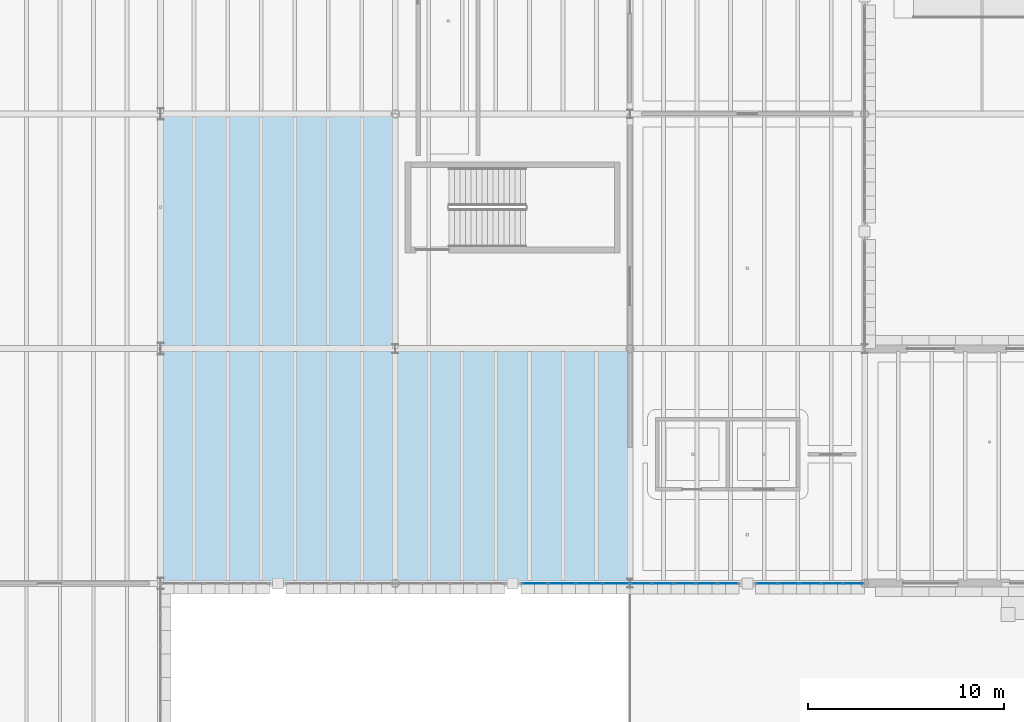
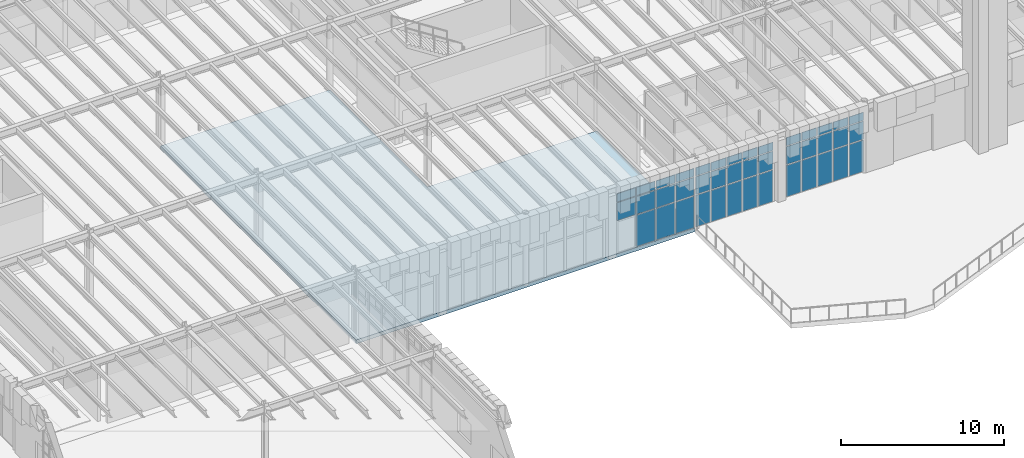
# One storey, part 42 of 103: 41 plates, 1 slab, 3 elements without a shape of their own.
"""IFC4 building model written with IfcOpenShell, lengths in metres."""

from ifc_helpers import new_model, si_unit, direction, frame, origin, origin_2d, place, context, subcontext, project, spatial, polyline, rectangle, outline, extrude, material, layer, layer_set, type_object, element, aggregate, save


model = new_model("IFC4")

# Units and contexts
model_context = context("Model", 3, precision=1e-05, world=origin(), true_north=direction((0.0, 1.0)))
body_context = subcontext(model_context, "Body", "Model", "MODEL_VIEW")
ifc_project = project(units=[si_unit("LENGTHUNIT", "METRE"), si_unit("AREAUNIT", "SQUARE_METRE"), si_unit("VOLUMEUNIT", "CUBIC_METRE"), si_unit("PLANEANGLEUNIT", "RADIAN"), si_unit("MASSUNIT", "GRAM", prefix="KILO")], contexts=[model_context])

# Site, building, storey
site_placement = place(None, origin())
site = spatial("IfcSite", under=ifc_project, at=site_placement, CompositionType="ELEMENT")
building_placement = place(site_placement, origin())
building = spatial("IfcBuilding", under=site, at=building_placement, Name="Zlatogorsky Bluff Art Gallery", CompositionType="ELEMENT")
storey_placement = place(building_placement, origin())
storey = spatial("IfcBuildingStorey", under=building, at=storey_placement, Name="L00", CompositionType="ELEMENT", Elevation=0.0)

# Curtain wall, plates
ifc_material_1 = material(Name="Anodised Bronze Aluminium and Low-Iron Triple Glazing", Category="aluminium")
ifc_layer_1 = layer(ifc_material_1, 0.179931640625)
ifc_layer_set_1 = layer_set([ifc_layer_1], Name="Curtain Wall CW-01")
curtain_wall_type_1 = type_object("IfcCurtainWallType", Name="Curtain Wall CW-01", PredefinedType="USERDEFINED", material=ifc_layer_set_1)
curtain_wall_1_placement = place(storey_placement, origin())
curtain_wall_1 = element("IfcCurtainWall", 1, at=curtain_wall_1_placement, inside=storey, type_object=curtain_wall_type_1, Name="Unitised curtain wall CW-01 L00 S 3.8-B", ObjectType="CURTAIN WALL", PredefinedType="USERDEFINED")
ifc_material_2 = material(Name="Low-Iron Laminated Triple Glazing", Category="glass")
ifc_layer_2 = layer(ifc_material_2, 0.035888671875)
ifc_layer_set_2 = layer_set([ifc_layer_2], Name="Glazed Curtain Panel CWP-01")
plate_type = type_object("IfcPlateType", Name="Glazed Curtain Panel CWP-01", PredefinedType="CURTAIN_PANEL", material=ifc_layer_set_2)
plate_1_placement = place(storey_placement, frame((43.1337890625, 84.0, 2.482421875), z_axis=(0.0, 0.0, 1.0), x_axis=(1.0, 0.0, 0.0)))
plate_1 = element("IfcPlate", 2, at=plate_1_placement, type_object=plate_type, Name="CW-01 panel 1.2", PredefinedType="CURTAIN_PANEL", context=body_context, shape_type="SweptSolid", body=[
    extrude(rectangle(XDim=1.297607421875, YDim=0.035888671875, at=origin_2d()), origin(), (0.0, 0.0, 1.0), 1.3349609375),
])
plate_2_placement = place(storey_placement, frame((43.1337890625, 84.0, 3.88232421875), z_axis=(0.0, 0.0, 1.0), x_axis=(1.0, 0.0, 0.0)))
plate_2 = element("IfcPlate", 3, at=plate_2_placement, type_object=plate_type, Name="CW-01 panel 1.3", PredefinedType="CURTAIN_PANEL", context=body_context, shape_type="SweptSolid", body=[
    extrude(rectangle(XDim=1.297607421875, YDim=0.035888671875, at=origin_2d()), origin(), (0.0, 0.0, 1.0), 0.612548828125),
])
plate_3_placement = place(storey_placement, frame((44.512451171875, 84.0, 0.06494140625), z_axis=(0.0, 0.0, 1.0), x_axis=(1.0, 0.0, 0.0)))
plate_3 = element("IfcPlate", 4, at=plate_3_placement, type_object=plate_type, Name="CW-01 panel 2.1", PredefinedType="CURTAIN_PANEL", context=body_context, shape_type="SweptSolid", body=[
    extrude(rectangle(XDim=1.330078125, YDim=0.035888671875, at=origin_2d()), origin(), (0.0, 0.0, 1.0), 2.3525390625),
])
plate_4_placement = place(storey_placement, frame((44.512451171875, 84.0, 2.482421875), z_axis=(0.0, 0.0, 1.0), x_axis=(1.0, 0.0, 0.0)))
plate_4 = element("IfcPlate", 5, at=plate_4_placement, type_object=plate_type, Name="CW-01 panel 2.2", PredefinedType="CURTAIN_PANEL", context=body_context, shape_type="SweptSolid", body=[
    extrude(rectangle(XDim=1.330078125, YDim=0.035888671875, at=origin_2d()), origin(), (0.0, 0.0, 1.0), 1.3349609375),
])
plate_5_placement = place(storey_placement, frame((44.512451171875, 84.0, 3.88232421875), z_axis=(0.0, 0.0, 1.0), x_axis=(1.0, 0.0, 0.0)))
plate_5 = element("IfcPlate", 6, at=plate_5_placement, type_object=plate_type, Name="CW-01 panel 2.3", PredefinedType="CURTAIN_PANEL", context=body_context, shape_type="SweptSolid", body=[
    extrude(rectangle(XDim=1.330078125, YDim=0.035888671875, at=origin_2d()), origin(), (0.0, 0.0, 1.0), 0.612548828125),
])
plate_6_placement = place(storey_placement, frame((45.907470703125, 84.0, 0.06494140625), z_axis=(0.0, 0.0, 1.0), x_axis=(1.0, 0.0, 0.0)))
plate_6 = element("IfcPlate", 7, at=plate_6_placement, type_object=plate_type, Name="CW-01 panel 3.1", PredefinedType="CURTAIN_PANEL", context=body_context, shape_type="SweptSolid", body=[
    extrude(rectangle(XDim=1.330078125, YDim=0.035888671875, at=origin_2d()), origin(), (0.0, 0.0, 1.0), 2.3525390625),
])
plate_7_placement = place(storey_placement, frame((45.907470703125, 84.0, 2.482421875), z_axis=(0.0, 0.0, 1.0), x_axis=(1.0, 0.0, 0.0)))
plate_7 = element("IfcPlate", 8, at=plate_7_placement, type_object=plate_type, Name="CW-01 panel 3.2", PredefinedType="CURTAIN_PANEL", context=body_context, shape_type="SweptSolid", body=[
    extrude(rectangle(XDim=1.330078125, YDim=0.035888671875, at=origin_2d()), origin(), (0.0, 0.0, 1.0), 1.3349609375),
])
plate_8_placement = place(storey_placement, frame((45.907470703125, 84.0, 3.88232421875), z_axis=(0.0, 0.0, 1.0), x_axis=(1.0, 0.0, 0.0)))
plate_8 = element("IfcPlate", 9, at=plate_8_placement, type_object=plate_type, Name="CW-01 panel 3.3", PredefinedType="CURTAIN_PANEL", context=body_context, shape_type="SweptSolid", body=[
    extrude(rectangle(XDim=1.330078125, YDim=0.035888671875, at=origin_2d()), origin(), (0.0, 0.0, 1.0), 0.612548828125),
])
plate_9_placement = place(storey_placement, frame((47.2861328125, 84.0, 0.06494140625), z_axis=(0.0, 0.0, 1.0), x_axis=(1.0, 0.0, 0.0)))
plate_9 = element("IfcPlate", 10, at=plate_9_placement, type_object=plate_type, Name="CW-01 panel 4.1", PredefinedType="CURTAIN_PANEL", context=body_context, shape_type="SweptSolid", body=[
    extrude(rectangle(XDim=1.297607421875, YDim=0.035888671875, at=origin_2d()), origin(), (0.0, 0.0, 1.0), 2.3525390625),
])
plate_10_placement = place(storey_placement, frame((47.2861328125, 84.0, 2.482421875), z_axis=(0.0, 0.0, 1.0), x_axis=(1.0, 0.0, 0.0)))
plate_10 = element("IfcPlate", 11, at=plate_10_placement, type_object=plate_type, Name="CW-01 panel 4.2", PredefinedType="CURTAIN_PANEL", context=body_context, shape_type="SweptSolid", body=[
    extrude(rectangle(XDim=1.297607421875, YDim=0.035888671875, at=origin_2d()), origin(), (0.0, 0.0, 1.0), 1.3349609375),
])
plate_11_placement = place(storey_placement, frame((47.2861328125, 84.0, 3.88232421875), z_axis=(0.0, 0.0, 1.0), x_axis=(1.0, 0.0, 0.0)))
plate_11 = element("IfcPlate", 12, at=plate_11_placement, type_object=plate_type, Name="CW-01 panel 4.3", PredefinedType="CURTAIN_PANEL", context=body_context, shape_type="SweptSolid", body=[
    extrude(rectangle(XDim=1.297607421875, YDim=0.035888671875, at=origin_2d()), origin(), (0.0, 0.0, 1.0), 0.612548828125),
])
aggregate(curtain_wall_1, [plate_1, plate_2, plate_3, plate_4, plate_5, plate_6, plate_7, plate_8, plate_9, plate_10, plate_11])

ifc_layer_3 = layer(ifc_material_1, 0.179931640625)
ifc_layer_set_3 = layer_set([ifc_layer_3], Name="Curtain Wall CW-03")
curtain_wall_type_2 = type_object("IfcCurtainWallType", Name="Curtain Wall CW-03", PredefinedType="USERDEFINED", material=ifc_layer_set_3)
curtain_wall_2_placement = place(storey_placement, origin())
curtain_wall_2 = element("IfcCurtainWall", 13, at=curtain_wall_2_placement, inside=storey, type_object=curtain_wall_type_2, Name="Unitised curtain wall CW-03 L00 S 4.8-A", ObjectType="CURTAIN WALL", PredefinedType="USERDEFINED")
plate_12_placement = place(storey_placement, frame((48.57421875, 84.0, 0.06494140625), z_axis=(0.0, 0.0, 1.0), x_axis=(1.0, 0.0, 0.0)))
plate_12 = element("IfcPlate", 14, at=plate_12_placement, type_object=plate_type, Name="CW-03 panel 1.1", PredefinedType="CURTAIN_PANEL", context=body_context, shape_type="SweptSolid", body=[
    extrude(rectangle(XDim=1.0185546875, YDim=0.035888671875, at=origin_2d()), origin(), (0.0, 0.0, 1.0), 2.3525390625),
])
plate_13_placement = place(storey_placement, frame((48.57421875, 84.0, 2.482421875), z_axis=(0.0, 0.0, 1.0), x_axis=(1.0, 0.0, 0.0)))
plate_13 = element("IfcPlate", 15, at=plate_13_placement, type_object=plate_type, Name="CW-03 panel 1.2", PredefinedType="CURTAIN_PANEL", context=body_context, shape_type="SweptSolid", body=[
    extrude(rectangle(XDim=1.0185546875, YDim=0.035888671875, at=origin_2d()), origin(), (0.0, 0.0, 1.0), 1.3349609375),
])
plate_14_placement = place(storey_placement, frame((48.57421875, 84.0, 3.88232421875), z_axis=(0.0, 0.0, 1.0), x_axis=(1.0, 0.0, 0.0)))
plate_14 = element("IfcPlate", 16, at=plate_14_placement, type_object=plate_type, Name="CW-03 panel 1.3", PredefinedType="CURTAIN_PANEL", context=body_context, shape_type="SweptSolid", body=[
    extrude(rectangle(XDim=1.0185546875, YDim=0.035888671875, at=origin_2d()), origin(), (0.0, 0.0, 1.0), 0.612548828125),
])
plate_15_placement = place(storey_placement, frame((49.674072265625, 84.0, 0.06494140625), z_axis=(0.0, 0.0, 1.0), x_axis=(1.0, 0.0, 0.0)))
plate_15 = element("IfcPlate", 17, at=plate_15_placement, type_object=plate_type, Name="CW-03 panel 2.1", PredefinedType="CURTAIN_PANEL", context=body_context, shape_type="SweptSolid", body=[
    extrude(rectangle(XDim=1.051025390625, YDim=0.035888671875, at=origin_2d()), origin(), (0.0, 0.0, 1.0), 2.3525390625),
])
plate_16_placement = place(storey_placement, frame((49.674072265625, 84.0, 2.482421875), z_axis=(0.0, 0.0, 1.0), x_axis=(1.0, 0.0, 0.0)))
plate_16 = element("IfcPlate", 18, at=plate_16_placement, type_object=plate_type, Name="CW-03 panel 2.2", PredefinedType="CURTAIN_PANEL", context=body_context, shape_type="SweptSolid", body=[
    extrude(rectangle(XDim=1.051025390625, YDim=0.035888671875, at=origin_2d()), origin(), (0.0, 0.0, 1.0), 1.3349609375),
])
plate_17_placement = place(storey_placement, frame((49.674072265625, 84.0, 3.88232421875), z_axis=(0.0, 0.0, 1.0), x_axis=(1.0, 0.0, 0.0)))
plate_17 = element("IfcPlate", 19, at=plate_17_placement, type_object=plate_type, Name="CW-03 panel 2.3", PredefinedType="CURTAIN_PANEL", context=body_context, shape_type="SweptSolid", body=[
    extrude(rectangle(XDim=1.051025390625, YDim=0.035888671875, at=origin_2d()), origin(), (0.0, 0.0, 1.0), 0.612548828125),
])
plate_18_placement = place(storey_placement, frame((50.7900390625, 84.0, 0.06494140625), z_axis=(0.0, 0.0, 1.0), x_axis=(1.0, 0.0, 0.0)))
plate_18 = element("IfcPlate", 20, at=plate_18_placement, type_object=plate_type, Name="CW-03 panel 3.1", PredefinedType="CURTAIN_PANEL", context=body_context, shape_type="SweptSolid", body=[
    extrude(rectangle(XDim=1.051025390625, YDim=0.035888671875, at=origin_2d()), origin(), (0.0, 0.0, 1.0), 2.3525390625),
])
plate_19_placement = place(storey_placement, frame((50.7900390625, 84.0, 2.482421875), z_axis=(0.0, 0.0, 1.0), x_axis=(1.0, 0.0, 0.0)))
plate_19 = element("IfcPlate", 21, at=plate_19_placement, type_object=plate_type, Name="CW-03 panel 3.2", PredefinedType="CURTAIN_PANEL", context=body_context, shape_type="SweptSolid", body=[
    extrude(rectangle(XDim=1.051025390625, YDim=0.035888671875, at=origin_2d()), origin(), (0.0, 0.0, 1.0), 1.3349609375),
])
plate_20_placement = place(storey_placement, frame((50.7900390625, 84.0, 3.88232421875), z_axis=(0.0, 0.0, 1.0), x_axis=(1.0, 0.0, 0.0)))
plate_20 = element("IfcPlate", 22, at=plate_20_placement, type_object=plate_type, Name="CW-03 panel 3.3", PredefinedType="CURTAIN_PANEL", context=body_context, shape_type="SweptSolid", body=[
    extrude(rectangle(XDim=1.051025390625, YDim=0.035888671875, at=origin_2d()), origin(), (0.0, 0.0, 1.0), 0.612548828125),
])
plate_21_placement = place(storey_placement, frame((51.906005859375, 84.0, 0.06494140625), z_axis=(0.0, 0.0, 1.0), x_axis=(1.0, 0.0, 0.0)))
plate_21 = element("IfcPlate", 23, at=plate_21_placement, type_object=plate_type, Name="CW-03 panel 4.1", PredefinedType="CURTAIN_PANEL", context=body_context, shape_type="SweptSolid", body=[
    extrude(rectangle(XDim=1.051025390625, YDim=0.035888671875, at=origin_2d()), origin(), (0.0, 0.0, 1.0), 2.3525390625),
])
plate_22_placement = place(storey_placement, frame((51.906005859375, 84.0, 2.482421875), z_axis=(0.0, 0.0, 1.0), x_axis=(1.0, 0.0, 0.0)))
plate_22 = element("IfcPlate", 24, at=plate_22_placement, type_object=plate_type, Name="CW-03 panel 4.2", PredefinedType="CURTAIN_PANEL", context=body_context, shape_type="SweptSolid", body=[
    extrude(rectangle(XDim=1.051025390625, YDim=0.035888671875, at=origin_2d()), origin(), (0.0, 0.0, 1.0), 1.3349609375),
])
plate_23_placement = place(storey_placement, frame((51.906005859375, 84.0, 3.88232421875), z_axis=(0.0, 0.0, 1.0), x_axis=(1.0, 0.0, 0.0)))
plate_23 = element("IfcPlate", 25, at=plate_23_placement, type_object=plate_type, Name="CW-03 panel 4.3", PredefinedType="CURTAIN_PANEL", context=body_context, shape_type="SweptSolid", body=[
    extrude(rectangle(XDim=1.051025390625, YDim=0.035888671875, at=origin_2d()), origin(), (0.0, 0.0, 1.0), 0.612548828125),
])
plate_24_placement = place(storey_placement, frame((53.005859375, 84.0, 0.06494140625), z_axis=(0.0, 0.0, 1.0), x_axis=(1.0, 0.0, 0.0)))
plate_24 = element("IfcPlate", 26, at=plate_24_placement, type_object=plate_type, Name="CW-03 panel 5.1", PredefinedType="CURTAIN_PANEL", context=body_context, shape_type="SweptSolid", body=[
    extrude(rectangle(XDim=1.0185546875, YDim=0.035888671875, at=origin_2d()), origin(), (0.0, 0.0, 1.0), 2.3525390625),
])
plate_25_placement = place(storey_placement, frame((53.005859375, 84.0, 2.482421875), z_axis=(0.0, 0.0, 1.0), x_axis=(1.0, 0.0, 0.0)))
plate_25 = element("IfcPlate", 27, at=plate_25_placement, type_object=plate_type, Name="CW-03 panel 5.2", PredefinedType="CURTAIN_PANEL", context=body_context, shape_type="SweptSolid", body=[
    extrude(rectangle(XDim=1.0185546875, YDim=0.035888671875, at=origin_2d()), origin(), (0.0, 0.0, 1.0), 1.3349609375),
])
plate_26_placement = place(storey_placement, frame((53.005859375, 84.0, 3.88232421875), z_axis=(0.0, 0.0, 1.0), x_axis=(1.0, 0.0, 0.0)))
plate_26 = element("IfcPlate", 28, at=plate_26_placement, type_object=plate_type, Name="CW-03 panel 5.3", PredefinedType="CURTAIN_PANEL", context=body_context, shape_type="SweptSolid", body=[
    extrude(rectangle(XDim=1.0185546875, YDim=0.035888671875, at=origin_2d()), origin(), (0.0, 0.0, 1.0), 0.612548828125),
])
aggregate(curtain_wall_2, [plate_12, plate_13, plate_14, plate_15, plate_16, plate_17, plate_18, plate_19, plate_20, plate_21, plate_22, plate_23, plate_24, plate_25, plate_26])

curtain_wall_3_placement = place(storey_placement, origin())
curtain_wall_3 = element("IfcCurtainWall", 29, at=curtain_wall_3_placement, inside=storey, type_object=curtain_wall_type_2, Name="Unitised curtain wall CW-03 L00 S 4.8-B", ObjectType="CURTAIN WALL", PredefinedType="USERDEFINED")
plate_27_placement = place(storey_placement, frame((54.994140625, 84.0, 0.06494140625), z_axis=(0.0, 0.0, 1.0), x_axis=(1.0, 0.0, 0.0)))
plate_27 = element("IfcPlate", 30, at=plate_27_placement, type_object=plate_type, Name="CW-03 panel 1.1", PredefinedType="CURTAIN_PANEL", context=body_context, shape_type="SweptSolid", body=[
    extrude(rectangle(XDim=1.0185546875, YDim=0.035888671875, at=origin_2d()), origin(), (0.0, 0.0, 1.0), 2.3525390625),
])
plate_28_placement = place(storey_placement, frame((54.994140625, 84.0, 2.482421875), z_axis=(0.0, 0.0, 1.0), x_axis=(1.0, 0.0, 0.0)))
plate_28 = element("IfcPlate", 31, at=plate_28_placement, type_object=plate_type, Name="CW-03 panel 1.2", PredefinedType="CURTAIN_PANEL", context=body_context, shape_type="SweptSolid", body=[
    extrude(rectangle(XDim=1.0185546875, YDim=0.035888671875, at=origin_2d()), origin(), (0.0, 0.0, 1.0), 1.3349609375),
])
plate_29_placement = place(storey_placement, frame((54.994140625, 84.0, 3.88232421875), z_axis=(0.0, 0.0, 1.0), x_axis=(1.0, 0.0, 0.0)))
plate_29 = element("IfcPlate", 32, at=plate_29_placement, type_object=plate_type, Name="CW-03 panel 1.3", PredefinedType="CURTAIN_PANEL", context=body_context, shape_type="SweptSolid", body=[
    extrude(rectangle(XDim=1.0185546875, YDim=0.035888671875, at=origin_2d()), origin(), (0.0, 0.0, 1.0), 0.612548828125),
])
plate_30_placement = place(storey_placement, frame((56.093994140625, 84.0, 0.06494140625), z_axis=(0.0, 0.0, 1.0), x_axis=(1.0, 0.0, 0.0)))
plate_30 = element("IfcPlate", 33, at=plate_30_placement, type_object=plate_type, Name="CW-03 panel 2.1", PredefinedType="CURTAIN_PANEL", context=body_context, shape_type="SweptSolid", body=[
    extrude(rectangle(XDim=1.051025390625, YDim=0.035888671875, at=origin_2d()), origin(), (0.0, 0.0, 1.0), 2.3525390625),
])
plate_31_placement = place(storey_placement, frame((56.093994140625, 84.0, 2.482421875), z_axis=(0.0, 0.0, 1.0), x_axis=(1.0, 0.0, 0.0)))
plate_31 = element("IfcPlate", 34, at=plate_31_placement, type_object=plate_type, Name="CW-03 panel 2.2", PredefinedType="CURTAIN_PANEL", context=body_context, shape_type="SweptSolid", body=[
    extrude(rectangle(XDim=1.051025390625, YDim=0.035888671875, at=origin_2d()), origin(), (0.0, 0.0, 1.0), 1.3349609375),
])
plate_32_placement = place(storey_placement, frame((56.093994140625, 84.0, 3.88232421875), z_axis=(0.0, 0.0, 1.0), x_axis=(1.0, 0.0, 0.0)))
plate_32 = element("IfcPlate", 35, at=plate_32_placement, type_object=plate_type, Name="CW-03 panel 2.3", PredefinedType="CURTAIN_PANEL", context=body_context, shape_type="SweptSolid", body=[
    extrude(rectangle(XDim=1.051025390625, YDim=0.035888671875, at=origin_2d()), origin(), (0.0, 0.0, 1.0), 0.612548828125),
])
plate_33_placement = place(storey_placement, frame((57.2099609375, 84.0, 0.06494140625), z_axis=(0.0, 0.0, 1.0), x_axis=(1.0, 0.0, 0.0)))
plate_33 = element("IfcPlate", 36, at=plate_33_placement, type_object=plate_type, Name="CW-03 panel 3.1", PredefinedType="CURTAIN_PANEL", context=body_context, shape_type="SweptSolid", body=[
    extrude(rectangle(XDim=1.051025390625, YDim=0.035888671875, at=origin_2d()), origin(), (0.0, 0.0, 1.0), 2.3525390625),
])
plate_34_placement = place(storey_placement, frame((57.2099609375, 84.0, 2.482421875), z_axis=(0.0, 0.0, 1.0), x_axis=(1.0, 0.0, 0.0)))
plate_34 = element("IfcPlate", 37, at=plate_34_placement, type_object=plate_type, Name="CW-03 panel 3.2", PredefinedType="CURTAIN_PANEL", context=body_context, shape_type="SweptSolid", body=[
    extrude(rectangle(XDim=1.051025390625, YDim=0.035888671875, at=origin_2d()), origin(), (0.0, 0.0, 1.0), 1.3349609375),
])
plate_35_placement = place(storey_placement, frame((57.2099609375, 84.0, 3.88232421875), z_axis=(0.0, 0.0, 1.0), x_axis=(1.0, 0.0, 0.0)))
plate_35 = element("IfcPlate", 38, at=plate_35_placement, type_object=plate_type, Name="CW-03 panel 3.3", PredefinedType="CURTAIN_PANEL", context=body_context, shape_type="SweptSolid", body=[
    extrude(rectangle(XDim=1.051025390625, YDim=0.035888671875, at=origin_2d()), origin(), (0.0, 0.0, 1.0), 0.612548828125),
])
plate_36_placement = place(storey_placement, frame((58.325927734375, 84.0, 0.06494140625), z_axis=(0.0, 0.0, 1.0), x_axis=(1.0, 0.0, 0.0)))
plate_36 = element("IfcPlate", 39, at=plate_36_placement, type_object=plate_type, Name="CW-03 panel 4.1", PredefinedType="CURTAIN_PANEL", context=body_context, shape_type="SweptSolid", body=[
    extrude(rectangle(XDim=1.051025390625, YDim=0.035888671875, at=origin_2d()), origin(), (0.0, 0.0, 1.0), 2.3525390625),
])
plate_37_placement = place(storey_placement, frame((58.325927734375, 84.0, 2.482421875), z_axis=(0.0, 0.0, 1.0), x_axis=(1.0, 0.0, 0.0)))
plate_37 = element("IfcPlate", 40, at=plate_37_placement, type_object=plate_type, Name="CW-03 panel 4.2", PredefinedType="CURTAIN_PANEL", context=body_context, shape_type="SweptSolid", body=[
    extrude(rectangle(XDim=1.051025390625, YDim=0.035888671875, at=origin_2d()), origin(), (0.0, 0.0, 1.0), 1.3349609375),
])
plate_38_placement = place(storey_placement, frame((58.325927734375, 84.0, 3.88232421875), z_axis=(0.0, 0.0, 1.0), x_axis=(1.0, 0.0, 0.0)))
plate_38 = element("IfcPlate", 41, at=plate_38_placement, type_object=plate_type, Name="CW-03 panel 4.3", PredefinedType="CURTAIN_PANEL", context=body_context, shape_type="SweptSolid", body=[
    extrude(rectangle(XDim=1.051025390625, YDim=0.035888671875, at=origin_2d()), origin(), (0.0, 0.0, 1.0), 0.612548828125),
])
plate_39_placement = place(storey_placement, frame((59.42578125, 84.0, 0.06494140625), z_axis=(0.0, 0.0, 1.0), x_axis=(1.0, 0.0, 0.0)))
plate_39 = element("IfcPlate", 42, at=plate_39_placement, type_object=plate_type, Name="CW-03 panel 5.1", PredefinedType="CURTAIN_PANEL", context=body_context, shape_type="SweptSolid", body=[
    extrude(rectangle(XDim=1.0185546875, YDim=0.035888671875, at=origin_2d()), origin(), (0.0, 0.0, 1.0), 2.3525390625),
])
plate_40_placement = place(storey_placement, frame((59.42578125, 84.0, 2.482421875), z_axis=(0.0, 0.0, 1.0), x_axis=(1.0, 0.0, 0.0)))
plate_40 = element("IfcPlate", 43, at=plate_40_placement, type_object=plate_type, Name="CW-03 panel 5.2", PredefinedType="CURTAIN_PANEL", context=body_context, shape_type="SweptSolid", body=[
    extrude(rectangle(XDim=1.0185546875, YDim=0.035888671875, at=origin_2d()), origin(), (0.0, 0.0, 1.0), 1.3349609375),
])
plate_41_placement = place(storey_placement, frame((59.42578125, 84.0, 3.88232421875), z_axis=(0.0, 0.0, 1.0), x_axis=(1.0, 0.0, 0.0)))
plate_41 = element("IfcPlate", 44, at=plate_41_placement, type_object=plate_type, Name="CW-03 panel 5.3", PredefinedType="CURTAIN_PANEL", context=body_context, shape_type="SweptSolid", body=[
    extrude(rectangle(XDim=1.0185546875, YDim=0.035888671875, at=origin_2d()), origin(), (0.0, 0.0, 1.0), 0.612548828125),
])
aggregate(curtain_wall_3, [plate_27, plate_28, plate_29, plate_30, plate_31, plate_32, plate_33, plate_34, plate_35, plate_36, plate_37, plate_38, plate_39, plate_40, plate_41])

# Slab
ifc_material_3 = material(Name="Concrete C30/37", Category="concrete")
ifc_layer_4 = layer(ifc_material_3, 0.280029296875)
ifc_layer_set_4 = layer_set([ifc_layer_4], Name="Slab SL-00 280mm")
slab_type = type_object("IfcSlabType", Name="Slab SL-00 280mm", PredefinedType="FLOOR", material=ifc_layer_set_4)
slab_placement = place(storey_placement, frame((0.0, 0.0, -0.280029296875)))
element("IfcSlab", 45, at=slab_placement, inside=storey, type_object=slab_type, Name="L00 structural floor slab panel 09", PredefinedType="FLOOR", context=body_context, shape_type="SweptSolid", body=[
    extrude(outline(polyline([(24.0, 96.0), (24.0, 108.0), (36.0, 108.0), (36.0, 96.0), (48.0, 96.0), (48.0, 84.0), (36.0, 84.0), (24.0, 84.0), (24.0, 96.0)])), origin(), (0.0, 0.0, 1.0), 0.280029296875),
])

save(model, "model.ifc")
